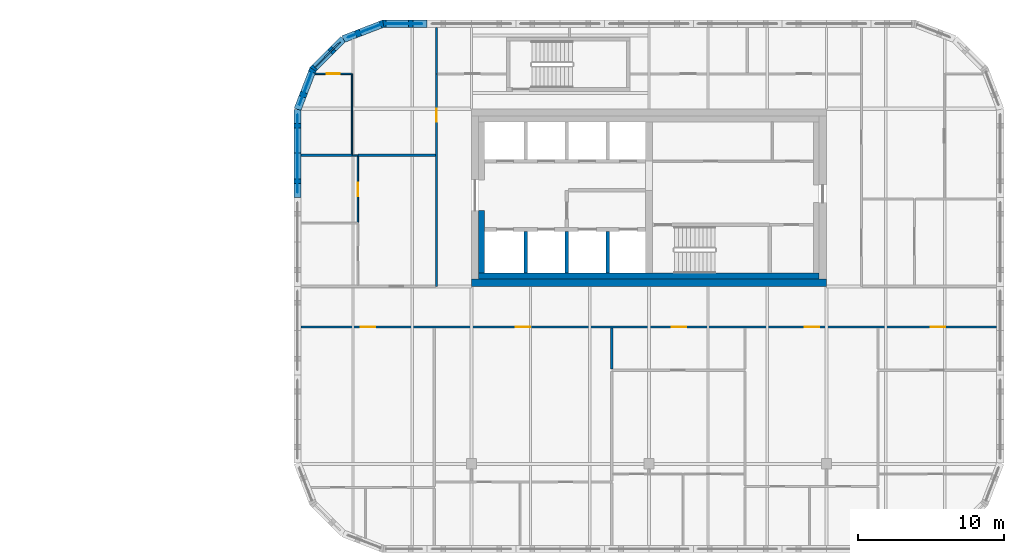
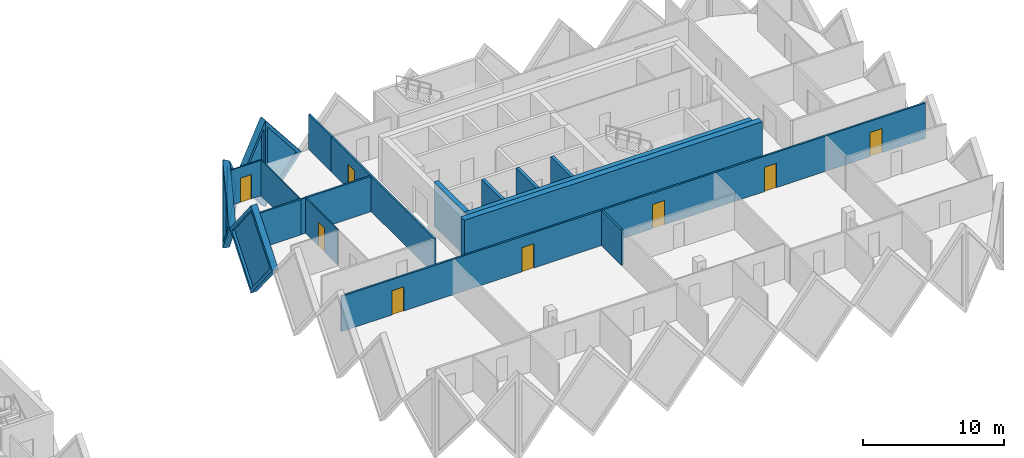
# One storey, part 13 of 19: 21 walls, 8 doors, 5 plates, 13 openings.
"""IFC4 building model written with IfcOpenShell, lengths in metres."""

import ifcopenshell
import ifcopenshell.guid

model = None  # the IFC model being written
_history = None  # IfcOwnerHistory: only IFC2X3 demands one
_inside = {}  # id of a spatial element -> (the spatial element, [elements in it])
_under = {}  # id of a project, library or spatial element -> (it, [spatial elements below it])
_declared = {}  # id of a project -> (the project, [libraries it declares])
_typed = {}  # id of a type object -> (the type object, [elements of that type])
_made_of = {}  # id of a material, layer set ... -> (it, [elements and type objects made of it])


def new_model(schema):
    """Start an empty IFC model of exactly this schema.

    Asked for "IFC4X3", IfcOpenShell would pick the latest addendum, in which some entities
    have other attributes; the version numbers below select the first issue.
    IFC2X3 requires an IfcOwnerHistory on every rooted entity: one is made here for all.
    """
    global model, _history
    if schema == "IFC4X3":
        model = ifcopenshell.file(schema_version=(4, 3, 0, 0))
    else:
        model = ifcopenshell.file(schema=schema)
    _inside.clear()
    _under.clear()
    _declared.clear()
    _typed.clear()
    _made_of.clear()
    _history = None
    if model.schema == "IFC2X3":
        org = make("IfcOrganization", Name="unknown")
        user = make(
            "IfcPersonAndOrganization",
            ThePerson=make("IfcPerson", FamilyName="unknown"),
            TheOrganization=org,
        )
        app = make(
            "IfcApplication",
            ApplicationDeveloper=org,
            Version="unknown",
            ApplicationFullName="unknown",
            ApplicationIdentifier="unknown",
        )
        _history = make(
            "IfcOwnerHistory",
            OwningUser=user,
            OwningApplication=app,
            ChangeAction="ADDED",
            CreationDate=0,
        )
    return model


def make(cls, **values):
    """One entity of the class cls with the attributes given. An attribute that is None is left unset."""
    return model.create_entity(
        cls, **{name: value for name, value in values.items() if value is not None}
    )


def rooted(cls, **values):
    """An entity with a GlobalId (a new one), such as an element, a storey or a relation."""
    return make(cls, GlobalId=ifcopenshell.guid.new(), OwnerHistory=_history, **values)


def si_unit(unit_type, name, prefix=None):
    """IfcSIUnit, for example si_unit("LENGTHUNIT", "METRE", prefix="MILLI")."""
    return make("IfcSIUnit", UnitType=unit_type, Prefix=prefix, Name=name)


def assignment(units):
    """IfcUnitAssignment: the units of a project."""
    return None if units is None else make("IfcUnitAssignment", Units=units)


def point(xyz):
    """IfcCartesianPoint."""
    return None if xyz is None else make("IfcCartesianPoint", Coordinates=xyz)


def direction(xyz):
    """IfcDirection."""
    return None if xyz is None else make("IfcDirection", DirectionRatios=xyz)


def frame(location, z_axis=None, x_axis=None):
    """IfcAxis2Placement3D, a coordinate frame: its origin and axes. An axis left out is left unset."""
    return make(
        "IfcAxis2Placement3D",
        Location=point(location),
        Axis=direction(z_axis),
        RefDirection=direction(x_axis),
    )


def frame_2d(location, x_axis=None):
    """IfcAxis2Placement2D, a coordinate frame in the plane: its origin and x axis."""
    return make(
        "IfcAxis2Placement2D", Location=point(location), RefDirection=direction(x_axis)
    )


def origin():
    """The frame at (0, 0, 0) with its axes left unset."""
    return frame((0.0, 0.0, 0.0))


def place(relative_to, where):
    """IfcLocalPlacement: puts the frame where relative to a parent placement (None: the world)."""
    return make(
        "IfcLocalPlacement", PlacementRelTo=relative_to, RelativePlacement=where
    )


def context(
    kind, dimensions, precision=None, world=None, true_north=None, identifier=None
):
    """IfcGeometricRepresentationContext, for example the 3D "Model" context."""
    return make(
        "IfcGeometricRepresentationContext",
        ContextIdentifier=identifier,
        ContextType=kind,
        CoordinateSpaceDimension=dimensions,
        Precision=precision,
        WorldCoordinateSystem=world,
        TrueNorth=true_north,
    )


def subcontext(parent, identifier, kind, view, scale=None):
    """IfcGeometricRepresentationSubContext, for example "Body" below "Model"."""
    return make(
        "IfcGeometricRepresentationSubContext",
        ContextIdentifier=identifier,
        ContextType=kind,
        ParentContext=parent,
        TargetScale=scale,
        TargetView=view,
    )


def project(units=None, contexts=None):
    """IfcProject with its units and contexts."""
    return rooted(
        "IfcProject",
        Name="project",
        RepresentationContexts=contexts,
        UnitsInContext=assignment(units),
    )


def spatial(cls, under=None, at=None, **own):
    """A site, building, storey or space (cls), placed at a placement, below another one or the project."""
    s = rooted(cls, ObjectPlacement=at, **own)
    if under is not None:
        _under.setdefault(under.id(), (under, []))[1].append(s)
    return s


def polyline(points):
    """IfcPolyline through the points."""
    return make("IfcPolyline", Points=[point(p) for p in points])


def profile(cls, at=None, kind="AREA", **sizes):
    """A parametric profile (cls). Its sizes go by their IFC names, for example OverallWidth=200.0."""
    return make(cls, ProfileType=kind, Position=at, **sizes)


def rectangle(**sizes):
    """IfcRectangleProfileDef."""
    return profile("IfcRectangleProfileDef", **sizes)


def outline(outer, holes=None, kind="AREA"):
    """IfcArbitraryClosedProfileDef: a profile drawn as a closed curve; with holes, ...WithVoids."""
    if holes is None:
        return make("IfcArbitraryClosedProfileDef", ProfileType=kind, OuterCurve=outer)
    return make(
        "IfcArbitraryProfileDefWithVoids",
        ProfileType=kind,
        OuterCurve=outer,
        InnerCurves=holes,
    )


def extrude(swept, where, along, depth):
    """IfcExtrudedAreaSolid: the profile swept, set in the frame where, extruded along a direction by depth."""
    return make(
        "IfcExtrudedAreaSolid",
        SweptArea=swept,
        Position=where,
        ExtrudedDirection=direction(along),
        Depth=depth,
    )


def faces_of(points, faces, orient=None, outer=None):
    """IfcFace entities. A face is a list of loops; a loop is a list of indices into points, from 0.

    orient and outer hold one flag for each loop. By default every Orientation is true, the
    first loop of a face is its IfcFaceOuterBound and the others are IfcFaceBound.
    """
    made = []
    for i, loops in enumerate(faces):
        bounds = []
        for j, loop in enumerate(loops):
            is_outer = j == 0 if outer is None else outer[i][j]
            bounds.append(
                make(
                    "IfcFaceOuterBound" if is_outer else "IfcFaceBound",
                    Bound=make("IfcPolyLoop", Polygon=[points[k] for k in loop]),
                    Orientation=True if orient is None else orient[i][j],
                )
            )
        made.append(make("IfcFace", Bounds=bounds))
    return made


def faceted_brep(points, faces, orient=None, outer=None, voids=None):
    """IfcFacetedBrep: a solid bounded by flat faces; with voids (closed shells), ...WithVoids."""
    shared = [point(p) for p in points]
    hull = make("IfcClosedShell", CfsFaces=faces_of(shared, faces, orient, outer))
    if voids is None:
        return make("IfcFacetedBrep", Outer=hull)
    return make(
        "IfcFacetedBrepWithVoids",
        Outer=hull,
        Voids=[
            make(cls, CfsFaces=faces_of(shared, fs, o, b)) for cls, fs, o, b in voids
        ],
    )


def shape(context_of_items, identifier, shape_type, items):
    """IfcShapeRepresentation: the items that make up one representation, for example the "Body"."""
    return make(
        "IfcShapeRepresentation",
        ContextOfItems=context_of_items,
        RepresentationIdentifier=identifier,
        RepresentationType=shape_type,
        Items=items,
    )


def source(mapping_origin, context_of_items, identifier, shape_type, items):
    """IfcRepresentationMap: a shape defined once, which mapped items show again and again."""
    return make(
        "IfcRepresentationMap",
        MappingOrigin=mapping_origin,
        MappedRepresentation=shape(context_of_items, identifier, shape_type, items),
    )


def transform(
    local_origin,
    x_axis=None,
    y_axis=None,
    z_axis=None,
    scale=None,
    scale2=None,
    scale3=None,
    uniform=True,
):
    """IfcCartesianTransformationOperator3D, or its non-uniform kind. x_axis, y_axis, z_axis: its Axis1, 2, 3."""
    if uniform:
        return make(
            "IfcCartesianTransformationOperator3D",
            Axis1=direction(x_axis),
            Axis2=direction(y_axis),
            LocalOrigin=point(local_origin),
            Scale=scale,
            Axis3=direction(z_axis),
        )
    return make(
        "IfcCartesianTransformationOperator3DnonUniform",
        Axis1=direction(x_axis),
        Axis2=direction(y_axis),
        LocalOrigin=point(local_origin),
        Scale=scale,
        Axis3=direction(z_axis),
        Scale2=scale2,
        Scale3=scale3,
    )


def mapped(mapping_source, mapping_target):
    """IfcMappedItem: shows the shape of a source again, moved by a transform."""
    return make(
        "IfcMappedItem", MappingSource=mapping_source, MappingTarget=mapping_target
    )


def material(Name=None, Category=None):
    """IfcMaterial."""
    return make("IfcMaterial", Name=Name, Category=Category)


def layer(
    of_material, thickness, ventilated=None, Name=None, Category=None, Priority=None
):
    """IfcMaterialLayer: one layer of a wall or slab, of a material (None: an air gap)."""
    return make(
        "IfcMaterialLayer",
        Material=of_material,
        LayerThickness=thickness,
        IsVentilated=ventilated,
        Name=Name,
        Category=Category,
        Priority=Priority,
    )


def layer_set(layers, Name=None):
    """IfcMaterialLayerSet."""
    return make("IfcMaterialLayerSet", MaterialLayers=layers, LayerSetName=Name)


def made_of(thing, what):
    """Note that an element or type object is made of a material, layer set ...; save() writes the relation."""
    if what is not None:
        _made_of.setdefault(what.id(), (what, []))[1].append(thing)
    return thing


def type_object(cls, material=None, **own):
    """A type object (cls), such as IfcWallType, which elements share."""
    return made_of(rooted(cls, **own), material)


def element(
    cls,
    number,
    at=None,
    inside=None,
    cuts=None,
    type_object=None,
    material=None,
    context=None,
    identifier="Body",
    shape_type=None,
    held_by="IfcProductDefinitionShape",
    body=None,
    shapes=None,
    **own,
):
    """One element of the class cls, such as IfcWall. Its Tag is "e" and its number.

    at: its placement. inside: the storey or other place that contains it. cuts: it is an
    opening in that element (IfcRelVoidsElement). A single representation is given by context,
    identifier, shape_type and body (its items); several are given by shapes. held_by: the class
    of the entity that holds the representations. save() writes the other relations.
    """
    e = rooted(cls, Tag="e%d" % number, ObjectPlacement=at, **own)
    if body is not None:
        shapes = [shape(context, identifier, shape_type, body)]
    if shapes is not None:
        e.Representation = make(held_by, Representations=shapes)
    if inside is not None:
        _inside.setdefault(inside.id(), (inside, []))[1].append(e)
    if cuts is not None:
        rooted(
            "IfcRelVoidsElement", RelatingBuildingElement=cuts, RelatedOpeningElement=e
        )
    if type_object is not None:
        _typed.setdefault(type_object.id(), (type_object, []))[1].append(e)
    return made_of(e, material)


def fill(opening, filler):
    """IfcRelFillsElement: the door or window that sits in an opening."""
    return rooted(
        "IfcRelFillsElement",
        RelatingOpeningElement=opening,
        RelatedBuildingElement=filler,
    )


def aggregate(whole, parts):
    """IfcRelAggregates: a whole, such as a stair, and the parts it consists of."""
    return rooted("IfcRelAggregates", RelatingObject=whole, RelatedObjects=parts)


def save(model, path):
    """Write the relations noted so far, then the file.

    IfcRelAggregates (storeys below a building ...), IfcRelContainedInSpatialStructure (elements
    in a storey), IfcRelDefinesByType, IfcRelAssociatesMaterial and IfcRelDeclares: one each for
    every whole, place, type object, material and project.
    """
    for whole, parts in _under.values():
        aggregate(whole, parts)
    for where, things in _inside.values():
        rooted(
            "IfcRelContainedInSpatialStructure",
            RelatedElements=things,
            RelatingStructure=where,
        )
    for kind, things in _typed.values():
        rooted("IfcRelDefinesByType", RelatedObjects=things, RelatingType=kind)
    for what, things in _made_of.values():
        rooted("IfcRelAssociatesMaterial", RelatedObjects=things, RelatingMaterial=what)
    for by, libraries in _declared.values():
        rooted("IfcRelDeclares", RelatingContext=by, RelatedDefinitions=libraries)
    model.write(path)


model = new_model("IFC4")

# Units and contexts
model_context = context("Model", 3, precision=1e-05, world=origin(), true_north=direction((0.0, 1.0)))
body_context = subcontext(model_context, "Body", "Model", "MODEL_VIEW")
ifc_project = project(units=[si_unit("LENGTHUNIT", "METRE"), si_unit("AREAUNIT", "SQUARE_METRE"), si_unit("VOLUMEUNIT", "CUBIC_METRE"), si_unit("PLANEANGLEUNIT", "RADIAN"), si_unit("MASSUNIT", "GRAM", prefix="KILO")], contexts=[model_context])

# Site, building, storey
site_placement = place(None, origin())
site = spatial("IfcSite", under=ifc_project, at=site_placement, CompositionType="ELEMENT")
building_placement = place(site_placement, origin())
building = spatial("IfcBuilding", under=site, at=building_placement, Name="Tessera Gate Towers", CompositionType="ELEMENT")
storey_placement = place(building_placement, frame((0.0, 0.0, 76.199951171875)))
storey = spatial("IfcBuildingStorey", under=building, at=storey_placement, Name="L18", CompositionType="ELEMENT", Elevation=76.199951171875)

# Walls
ifc_material_1 = material(Name="Concrete C40/50", Category="concrete")
ifc_layer_1 = layer(ifc_material_1, 0.25)
ifc_layer_set_1 = layer_set([ifc_layer_1], Name="CORE ENCLOSURE WALL 250")
wall_type_1 = type_object("IfcWallType", Name="CORE ENCLOSURE WALL 250", PredefinedType="SOLIDWALL", material=ifc_layer_set_1)
for number, where, z_axis, x_axis, name in (
    (1, (104.14990234375, 37.5, 0.0), (0.0, 0.0, 1.0), (0.0, 1.0, 0.0), "L18 shaft and stair enclosure wall"),
    (2, (101.324951171875, 37.5, 0.0), (0.0, 0.0, 1.0), (0.0, 1.0, 0.0), "L18 shaft and stair enclosure wall"),
    (3, (106.97509765625, 37.5, 0.0), (0.0, 0.0, 1.0), (0.0, 1.0, 0.0), "L18 shaft and stair enclosure wall"),
):
    element("IfcWall", number, at=place(storey_placement, frame(where, z_axis=z_axis, x_axis=x_axis)), inside=storey, type_object=wall_type_1, Name=name, PredefinedType="SOLIDWALL", context=body_context, shape_type="SweptSolid", body=[
        extrude(rectangle(XDim=2.875, YDim=0.25, at=frame_2d((1.4375, 0.0))), origin(), (0.0, 0.0, 1.0), 3.800048828125),
    ])
ifc_material_2 = material(Name="Concrete C50/60", Category="concrete")
ifc_layer_2 = layer(ifc_material_2, 0.5)
ifc_layer_set_2 = layer_set([ifc_layer_2], Name="CORE SHEAR WALL 500 C50/60")
wall_type_2 = type_object("IfcWallType", Name="CORE SHEAR WALL 500 C50/60", PredefinedType="SHEAR", material=ifc_layer_set_2)
wall_1_placement = place(storey_placement, frame((122.0, 36.85009765625, 0.0), z_axis=(0.0, 0.0, 1.0), x_axis=(-1.0, 0.0, 0.0)))
element("IfcWall", 4, at=wall_1_placement, inside=storey, type_object=wall_type_2, Name="Core wall S L18", PredefinedType="SHEAR", context=body_context, shape_type="SweptSolid", body=[
    extrude(rectangle(XDim=24.39990234375, YDim=0.5, at=frame_2d((12.199951171875, 0.0))), origin(), (0.0, 0.0, 1.0), 3.800048828125),
])
ifc_material_3 = material(Name="Concrete C50/60", Category="concrete")
ifc_layer_3 = layer(ifc_material_3, 0.39990234375)
ifc_layer_set_3 = layer_set([ifc_layer_3], Name="CORE WALL THICKENING 400")
wall_type_3 = type_object("IfcWallType", Name="CORE WALL THICKENING 400", PredefinedType="SOLIDWALL", material=ifc_layer_set_3)
wall_2_placement = place(storey_placement, frame((98.10009765625, 37.300048828125, 0.0), z_axis=(0.0, 0.0, 1.0), x_axis=(1.0, 0.0, 0.0)))
element("IfcWall", 5, at=wall_2_placement, inside=storey, type_object=wall_type_3, Name="Core wall thickening S L18", PredefinedType="SOLIDWALL", context=body_context, shape_type="SweptSolid", body=[
    extrude(rectangle(XDim=23.39990234375, YDim=0.39990234375, at=frame_2d((11.699951171875, 0.0))), origin(), (0.0, 0.0, 1.0), 3.800048828125),
])
wall_3_placement = place(storey_placement, frame((98.300048828125, 37.5, 0.0), z_axis=(0.0, 0.0, 1.0), x_axis=(0.0, 1.0, 0.0)))
element("IfcWall", 6, at=wall_3_placement, inside=storey, type_object=wall_type_3, Name="Core wall thickening W L18", PredefinedType="SOLIDWALL", context=body_context, shape_type="SweptSolid", body=[
    extrude(rectangle(XDim=4.300048828125, YDim=0.39990234375, at=frame_2d((2.14990234375, 0.0))), origin(), (0.0, 0.0, 1.0), 3.800048828125),
])

# Wall, openings, doors
ifc_material_4 = material(Name="Gypsum board on steel studs, mineral wool", Category="steel")
ifc_layer_4 = layer(ifc_material_4, 0.14990234375)
ifc_layer_set_4 = layer_set([ifc_layer_4], Name="CORRIDOR WALL 150")
wall_type_4 = type_object("IfcWallType", Name="CORRIDOR WALL 150", PredefinedType="PARTITIONING", material=ifc_layer_set_4)
wall_4_placement = place(storey_placement, frame((133.699951171875, 33.800048828125, 0.0), z_axis=(0.0, 0.0, 1.0), x_axis=(-1.0, 0.0, 0.0)))
wall_4 = element("IfcWall", 7, at=wall_4_placement, inside=storey, type_object=wall_type_4, Name="T2-L18-PW-027", PredefinedType="PARTITIONING", context=body_context, shape_type="SweptSolid", body=[
    extrude(rectangle(XDim=47.800048828125, YDim=0.14990234375, at=frame_2d((23.89990234375, 0.0))), origin(), (0.0, 0.0, 1.0), 3.067138671875),
])
shared_shape_1 = source(origin(), body_context, "Body", "SweptSolid", [
    extrude(rectangle(XDim=1.0, YDim=2.10009765625, at=frame_2d((0.5, 1.050048828125))), frame((0.0, 0.0849609375, 0.0), z_axis=(0.0, -1.0, 0.0), x_axis=(1.0, 0.0, 0.0)), (0.0, 0.0, 1.0), 0.169921875),
])
opening_1_placement = place(wall_4_placement, frame((3.549072265625, 0.0, 0.0)))
opening_1 = element("IfcOpeningElement", 8, at=opening_1_placement, cuts=wall_4, Name="Opening D2100FD60-B07-04", PredefinedType="OPENING", context=body_context, shape_type="MappedRepresentation", body=[
    mapped(shared_shape_1, transform((0.0, 0.0, 0.0), scale=1.0)),
])
opening_2_placement = place(wall_4_placement, frame((42.699951171875, 0.0, 0.0)))
opening_2 = element("IfcOpeningElement", 9, at=opening_2_placement, cuts=wall_4, Name="Opening D2100FD60-B07-05", PredefinedType="OPENING", context=body_context, shape_type="MappedRepresentation", body=[
    mapped(shared_shape_1, transform((0.0, 0.0, 0.0), scale=1.0)),
])
opening_3_placement = place(wall_4_placement, frame((12.198974609375, 0.0, 0.0)))
opening_3 = element("IfcOpeningElement", 10, at=opening_3_placement, cuts=wall_4, Name="Opening D2100FD60-B07-06", PredefinedType="OPENING", context=body_context, shape_type="MappedRepresentation", body=[
    mapped(shared_shape_1, transform((0.0, 0.0, 0.0), scale=1.0)),
])
opening_4_placement = place(wall_4_placement, frame((21.34912109375, 0.0, 0.0)))
opening_4 = element("IfcOpeningElement", 11, at=opening_4_placement, cuts=wall_4, Name="Opening D2100FD60-B07-07", PredefinedType="OPENING", context=body_context, shape_type="MappedRepresentation", body=[
    mapped(shared_shape_1, transform((0.0, 0.0, 0.0), scale=1.0)),
])
opening_5_placement = place(wall_4_placement, frame((32.050048828125, 0.0, 0.0)))
opening_5 = element("IfcOpeningElement", 12, at=opening_5_placement, cuts=wall_4, Name="Opening D2100FD60-B07-08", PredefinedType="OPENING", context=body_context, shape_type="MappedRepresentation", body=[
    mapped(shared_shape_1, transform((0.0, 0.0, 0.0), scale=1.0)),
])
ifc_material_5 = material(Name="Timber door leaf in steel frame", Category="steel")
door_type_1 = type_object("IfcDoorType", Name="TENANCY ENTRANCE DOOR 1000 FD60", OperationType="NOTDEFINED", PredefinedType="DOOR", material=ifc_material_5)
shared_shape_2 = source(origin(), body_context, "Body", "SweptSolid", [
    extrude(rectangle(XDim=1.0, YDim=2.10009765625, at=frame_2d((0.5, 1.050048828125))), frame((0.0, 0.02490234375, 0.0), z_axis=(0.0, -1.0, 0.0), x_axis=(1.0, 0.0, 0.0)), (0.0, 0.0, 1.0), 0.050048828125),
])
door_1_placement = place(opening_1_placement, origin())
door_1 = element("IfcDoor", 13, at=door_1_placement, inside=storey, type_object=door_type_1, Name="T2-L18-PD-018", OperationType="SINGLE_SWING_RIGHT", OverallHeight=2.10009765625, OverallWidth=1.0, PredefinedType="DOOR", context=body_context, shape_type="MappedRepresentation", body=[
    mapped(shared_shape_2, transform((0.0, 0.0, 0.0), scale=1.0)),
])
fill(opening_1, door_1)
door_2_placement = place(opening_2_placement, origin())
door_2 = element("IfcDoor", 14, at=door_2_placement, inside=storey, type_object=door_type_1, Name="T2-L18-PD-021", OperationType="SINGLE_SWING_RIGHT", OverallHeight=2.10009765625, OverallWidth=1.0, PredefinedType="DOOR", context=body_context, shape_type="MappedRepresentation", body=[
    mapped(shared_shape_2, transform((0.0, 0.0, 0.0), scale=1.0)),
])
fill(opening_2, door_2)
door_3_placement = place(opening_3_placement, origin())
door_3 = element("IfcDoor", 15, at=door_3_placement, inside=storey, type_object=door_type_1, Name="T2-L18-PD-022", OperationType="SINGLE_SWING_RIGHT", OverallHeight=2.10009765625, OverallWidth=1.0, PredefinedType="DOOR", context=body_context, shape_type="MappedRepresentation", body=[
    mapped(shared_shape_2, transform((0.0, 0.0, 0.0), scale=1.0)),
])
fill(opening_3, door_3)
door_4_placement = place(opening_4_placement, origin())
door_4 = element("IfcDoor", 16, at=door_4_placement, inside=storey, type_object=door_type_1, Name="T2-L18-PD-023", OperationType="SINGLE_SWING_RIGHT", OverallHeight=2.10009765625, OverallWidth=1.0, PredefinedType="DOOR", context=body_context, shape_type="MappedRepresentation", body=[
    mapped(shared_shape_2, transform((0.0, 0.0, 0.0), scale=1.0)),
])
fill(opening_4, door_4)
door_5_placement = place(opening_5_placement, origin())
door_5 = element("IfcDoor", 17, at=door_5_placement, inside=storey, type_object=door_type_1, Name="T2-L18-PD-027", OperationType="SINGLE_SWING_RIGHT", OverallHeight=2.10009765625, OverallWidth=1.0, PredefinedType="DOOR", context=body_context, shape_type="MappedRepresentation", body=[
    mapped(shared_shape_2, transform((0.0, 0.0, 0.0), scale=1.0)),
])
fill(opening_5, door_5)

# Wall, opening, door
wall_5_placement = place(storey_placement, frame((95.199951171875, 36.60009765625, 0.0), z_axis=(0.0, 0.0, 1.0), x_axis=(0.0, 1.0, 0.0)))
wall_5 = element("IfcWall", 18, at=wall_5_placement, inside=storey, type_object=wall_type_4, Name="T2-L18-PW-029", PredefinedType="PARTITIONING", context=body_context, shape_type="SweptSolid", body=[
    extrude(rectangle(XDim=14.599853515625, YDim=0.14990234375, at=frame_2d((7.2998046875, 0.0))), origin(), (0.0, 0.0, 1.0), 3.067138671875),
])
shared_shape_3 = source(origin(), body_context, "Body", "SweptSolid", [
    extrude(rectangle(XDim=0.89990234375, YDim=2.10009765625, at=frame_2d((0.449951171875, 1.050048828125))), frame((0.0, 0.0849609375, 0.0), z_axis=(0.0, -1.0, 0.0), x_axis=(1.0, 0.0, 0.0)), (0.0, 0.0, 1.0), 0.169921875),
])
opening_6_placement = place(wall_5_placement, frame((11.301025390625, 0.0, 0.0)))
opening_6 = element("IfcOpeningElement", 19, at=opening_6_placement, cuts=wall_5, Name="Opening D890FD60-B07-01", PredefinedType="OPENING", context=body_context, shape_type="MappedRepresentation", body=[
    mapped(shared_shape_3, transform((0.0, 0.0, 0.0), scale=1.0)),
])
ifc_material_6 = material(Name="Timber door leaf in steel frame", Category="steel")
door_type_2 = type_object("IfcDoorType", Name="CORRIDOR DOOR 900 FD60", OperationType="NOTDEFINED", PredefinedType="DOOR", material=ifc_material_6)
shared_shape_4 = source(origin(), body_context, "Body", "SweptSolid", [
    extrude(rectangle(XDim=0.89990234375, YDim=2.10009765625, at=frame_2d((0.449951171875, 1.050048828125))), frame((0.0, 0.02490234375, 0.0), z_axis=(0.0, -1.0, 0.0), x_axis=(1.0, 0.0, 0.0)), (0.0, 0.0, 1.0), 0.050048828125),
])
door_6_placement = place(opening_6_placement, origin())
door_6 = element("IfcDoor", 20, at=door_6_placement, inside=storey, type_object=door_type_2, Name="T2-L18-PD-010", OperationType="SINGLE_SWING_LEFT", OverallHeight=2.10009765625, OverallWidth=0.89990234375, PredefinedType="DOOR", context=body_context, shape_type="MappedRepresentation", body=[
    mapped(shared_shape_4, transform((0.0, 0.0, 0.0), scale=1.0)),
])
fill(opening_6, door_6)

ifc_material_7 = material(Name="Glass", Category="glass")
ifc_layer_5 = layer(ifc_material_7, 0.10009765625)
ifc_layer_set_5 = layer_set([ifc_layer_5], Name="GLAZED PARTITION 100")
wall_type_5 = type_object("IfcWallType", Name="GLAZED PARTITION 100", PredefinedType="PARTITIONING", material=ifc_layer_set_5)
wall_6_placement = place(storey_placement, frame((89.800048828125, 40.998779296875, 0.0), z_axis=(0.0, 0.0, 1.0), x_axis=(0.0, 1.0, 0.0)))
wall_6 = element("IfcWall", 21, at=wall_6_placement, inside=storey, type_object=wall_type_5, Name="T2-L18-PW-035", PredefinedType="PARTITIONING", context=body_context, shape_type="SweptSolid", body=[
    extrude(rectangle(XDim=4.525146484375, YDim=0.10009765625, at=frame_2d((2.2626953125, 0.0))), origin(), (0.0, 0.0, 1.0), 3.067138671875),
])
shared_shape_5 = source(origin(), body_context, "Body", "SweptSolid", [
    extrude(rectangle(XDim=0.89990234375, YDim=2.10009765625, at=frame_2d((0.449951171875, 1.050048828125))), frame((0.0, 0.06005859375, 0.0), z_axis=(0.0, -1.0, 0.0), x_axis=(1.0, 0.0, 0.0)), (0.0, 0.0, 1.0), 0.1201171875),
])
opening_7_placement = place(wall_6_placement, frame((1.800048828125, 0.0, 0.0)))
opening_7 = element("IfcOpeningElement", 22, at=opening_7_placement, cuts=wall_6, Name="Opening D690-B07-02", PredefinedType="OPENING", context=body_context, shape_type="MappedRepresentation", body=[
    mapped(shared_shape_5, transform((0.0, 0.0, 0.0), scale=1.0)),
])
ifc_material_8 = material(Name="Glass in aluminium frame", Category="aluminium")
door_type_3 = type_object("IfcDoorType", Name="GLAZED DOOR 900 NOT RATED", OperationType="NOTDEFINED", PredefinedType="DOOR", material=ifc_material_8)
door_7_placement = place(opening_7_placement, origin())
door_7 = element("IfcDoor", 23, at=door_7_placement, inside=storey, type_object=door_type_3, Name="T2-L18-PD-005", OperationType="SINGLE_SWING_LEFT", OverallHeight=2.10009765625, OverallWidth=0.89990234375, PredefinedType="DOOR", context=body_context, shape_type="MappedRepresentation", body=[
    mapped(shared_shape_4, transform((0.0, 0.0, 0.0), scale=1.0)),
])
fill(opening_7, door_7)

# Walls
wall_7_placement = place(storey_placement, frame((89.39599609375, 45.60009765625, 0.0), z_axis=(0.0, 0.0, 1.0), x_axis=(1.0, 0.0, 0.0)))
element("IfcWall", 24, at=wall_7_placement, inside=storey, type_object=wall_type_5, Name="T2-L18-PW-040", PredefinedType="PARTITIONING", context=body_context, shape_type="SweptSolid", body=[
    extrude(rectangle(XDim=0.403076171875, YDim=0.10009765625, at=frame_2d((0.20166015625, 0.0))), origin(), (0.0, 0.0, 1.0), 3.067138671875),
])
ifc_material_9 = material(Name="Gypsum board on steel studs", Category="steel")
ifc_layer_6 = layer(ifc_material_9, 0.10009765625)
ifc_layer_set_6 = layer_set([ifc_layer_6], Name="PARTITION 100")
wall_type_6 = type_object("IfcWallType", Name="PARTITION 100", PredefinedType="PARTITIONING", material=ifc_layer_set_6)
wall_8_placement = place(storey_placement, frame((89.39501953125, 45.676025390625, 0.0), z_axis=(0.0, 0.0, 1.0), x_axis=(0.0, 1.0, 0.0)))
element("IfcWall", 25, at=wall_8_placement, inside=storey, type_object=wall_type_6, Name="T2-L18-PW-042", PredefinedType="PARTITIONING", context=body_context, shape_type="SweptSolid", body=[
    extrude(rectangle(XDim=5.52392578125, YDim=0.10009765625, at=frame_2d((2.761962890625, 0.0))), origin(), (0.0, 0.0, 1.0), 3.067138671875),
])

# Wall, opening, door
wall_9_placement = place(storey_placement, frame((89.343994140625, 51.199951171875, 0.0), z_axis=(0.0, 0.0, 1.0), x_axis=(-1.0, 0.0, 0.0)))
wall_9 = element("IfcWall", 26, at=wall_9_placement, inside=storey, type_object=wall_type_6, Name="T2-L18-PW-043", PredefinedType="PARTITIONING", context=body_context, shape_type="SweptSolid", body=[
    extrude(rectangle(XDim=2.482177734375, YDim=0.10009765625, at=frame_2d((1.2412109375, 0.0))), origin(), (0.0, 0.0, 1.0), 3.067138671875),
])
opening_8_placement = place(wall_9_placement, frame((0.7822265625, 0.0, 0.0)))
opening_8 = element("IfcOpeningElement", 27, at=opening_8_placement, cuts=wall_9, Name="Opening D190-B07-10", PredefinedType="OPENING", context=body_context, shape_type="MappedRepresentation", body=[
    mapped(shared_shape_5, transform((0.0, 0.0, 0.0), scale=1.0)),
])
ifc_material_10 = material(Name="Timber door leaf in steel frame", Category="steel")
door_type_4 = type_object("IfcDoorType", Name="INTERNAL DOOR 900 NOT RATED", OperationType="NOTDEFINED", PredefinedType="DOOR", material=ifc_material_10)
door_8_placement = place(opening_8_placement, origin())
door_8 = element("IfcDoor", 28, at=door_8_placement, inside=storey, type_object=door_type_4, Name="T2-L18-PD-016", OperationType="SINGLE_SWING_RIGHT", OverallHeight=2.10009765625, OverallWidth=0.89990234375, PredefinedType="DOOR", context=body_context, shape_type="MappedRepresentation", body=[
    mapped(shared_shape_4, transform((0.0, 0.0, 0.0), scale=1.0)),
])
fill(opening_8, door_8)

# Walls
ifc_material_11 = material(Name="Gypsum board on steel studs, mineral wool", Category="steel")
ifc_layer_7 = layer(ifc_material_11, 0.14990234375)
ifc_layer_set_7 = layer_set([ifc_layer_7], Name="TENANCY WALL 150")
wall_type_7 = type_object("IfcWallType", Name="TENANCY WALL 150", PredefinedType="PARTITIONING", material=ifc_layer_set_7)
wall_10_placement = place(storey_placement, frame((107.25, 30.90087890625, 0.0), z_axis=(0.0, 0.0, 1.0), x_axis=(0.0, 1.0, 0.0)))
element("IfcWall", 29, at=wall_10_placement, inside=storey, type_object=wall_type_7, Name="T2-L18-PW-024", PredefinedType="PARTITIONING", context=body_context, shape_type="SweptSolid", body=[
    extrude(rectangle(XDim=2.8232421875, YDim=0.14990234375, at=frame_2d((1.41162109375, 0.0))), origin(), (0.0, 0.0, 1.0), 3.067138671875),
])
wall_11_placement = place(storey_placement, frame((85.89990234375, 45.60009765625, 0.0), z_axis=(0.0, 0.0, 1.0), x_axis=(1.0, 0.0, 0.0)))
element("IfcWall", 30, at=wall_11_placement, inside=storey, type_object=wall_type_7, Name="T2-L18-PW-039", PredefinedType="PARTITIONING", context=body_context, shape_type="SweptSolid", body=[
    extrude(rectangle(XDim=3.4951171875, YDim=0.14990234375, at=frame_2d((1.74755859375, 0.0))), origin(), (0.0, 0.0, 1.0), 3.067138671875),
])
wall_12_placement = place(storey_placement, frame((89.800048828125, 45.60009765625, 0.0), z_axis=(0.0, 0.0, 1.0), x_axis=(1.0, 0.0, 0.0)))
element("IfcWall", 31, at=wall_12_placement, inside=storey, type_object=wall_type_7, Name="T2-L18-PW-041", PredefinedType="PARTITIONING", context=body_context, shape_type="SweptSolid", body=[
    extrude(rectangle(XDim=5.323974609375, YDim=0.14990234375, at=frame_2d((2.662109375, 0.0))), origin(), (0.0, 0.0, 1.0), 3.067138671875),
])
wall_13_placement = place(storey_placement, frame((95.199951171875, 51.200927734375, 0.0), z_axis=(0.0, 0.0, 1.0), x_axis=(0.0, 1.0, 0.0)))
element("IfcWall", 32, at=wall_13_placement, inside=storey, type_object=wall_type_7, Name="T2-L18-PW-044", PredefinedType="PARTITIONING", context=body_context, shape_type="SweptSolid", body=[
    extrude(rectangle(XDim=3.198974609375, YDim=0.14990234375, at=frame_2d((1.599609375, 0.0))), origin(), (0.0, 0.0, 1.0), 3.067138671875),
])

# Wall, opening, plate
ifc_material_12 = material(Name="Precast concrete C60/75 white", Category="concrete")
ifc_layer_8 = layer(ifc_material_12, 0.5)
ifc_layer_set_8 = layer_set([ifc_layer_8], Name="TS1 tessera")
wall_type_8 = type_object("IfcWallType", Name="TS1 tessera", PredefinedType="SOLIDWALL", material=ifc_layer_set_8)
shared_shape_6 = source(origin(), body_context, "Body", "Brep", [
    faceted_brep([(3.00341796875, -0.25, 0.0), (6.053466796875, -0.25, 3.800048828125), (3.00341796875, -0.25, 7.60009765625), (0.0, -0.25, 3.800048828125), (0.046630859375, 0.25, 3.85888671875), (3.00341796875, 0.25, 7.60009765625), (6.053466796875, 0.25, 3.800048828125), (3.00341796875, 0.25, 0.0), (0.046630859375, 0.25, 3.7412109375), (0.0, 0.0, 3.800048828125)], [[[0, 1, 2, 3]], [[4, 5, 6, 7, 8]], [[7, 6, 1, 0]], [[6, 5, 2, 1]], [[5, 4, 9, 3, 2]], [[8, 7, 0, 3, 9]], [[8, 9, 4]]]),
])
wall_14_placement = place(storey_placement, frame((85.64990234375, 48.75341796875, -3.800048828125), z_axis=(0.0, 0.0, 1.0), x_axis=(0.0, -1.0, 0.0)))
wall_14 = element("IfcWall", 33, at=wall_14_placement, inside=storey, type_object=wall_type_8, Name="Precast tessera T2 TS1-0212", PredefinedType="SOLIDWALL", context=body_context, shape_type="MappedRepresentation", body=[
    mapped(shared_shape_6, transform((0.0, 0.0, 0.0), scale=1.0)),
])
shared_shape_7 = source(origin(), body_context, "Body", "SweptSolid", [
    extrude(outline(polyline([(3.0048828125, 0.4013671875), (5.73291015625, 3.800048828125), (3.0048828125, 7.19873046875), (0.318603515625, 3.800048828125), (3.0048828125, 0.4013671875)])), frame((0.0, 0.260009765625, 0.0), z_axis=(0.0, -1.0, 0.0), x_axis=(1.0, 0.0, 0.0)), (0.0, 0.0, 1.0), 0.52001953125),
])
opening_9_placement = place(wall_14_placement, origin())
opening_9 = element("IfcOpeningElement", 34, at=opening_9_placement, cuts=wall_14, Name="Opening T2-PL2-0402", PredefinedType="OPENING", context=body_context, shape_type="MappedRepresentation", body=[
    mapped(shared_shape_7, transform((0.0, 0.0, 0.0), scale=1.0)),
])
ifc_material_13 = material(Name="Low-e laminated glass", Category="glass")
ifc_layer_9 = layer(ifc_material_13, 0.06005859375)
ifc_layer_set_9 = layer_set([ifc_layer_9], Name="PL2 rhombic pane")
plate_type = type_object("IfcPlateType", Name="PL2 rhombic pane", PredefinedType="SHEET", material=ifc_layer_set_9)
shared_shape_8 = source(origin(), body_context, "Body", "SweptSolid", [
    extrude(outline(polyline([(3.0048828125, 0.4013671875), (5.73291015625, 3.800048828125), (3.0048828125, 7.19873046875), (0.318603515625, 3.800048828125), (3.0048828125, 0.4013671875)])), frame((0.0, 0.030029296875, 0.0), z_axis=(0.0, -1.0, 0.0), x_axis=(1.0, 0.0, 0.0)), (0.0, 0.0, 1.0), 0.06005859375),
])
plate_1_placement = place(opening_9_placement, origin())
plate_1 = element("IfcPlate", 35, at=plate_1_placement, inside=storey, type_object=plate_type, Name="Glass pane T2 PL2-0402", PredefinedType="SHEET", context=body_context, shape_type="MappedRepresentation", body=[
    mapped(shared_shape_8, transform((0.0, 0.0, 0.0), scale=1.0)),
])
fill(opening_9, plate_1)

ifc_material_14 = material(Name="Precast concrete C60/75 white", Category="concrete")
ifc_layer_10 = layer(ifc_material_14, 0.5)
ifc_layer_set_10 = layer_set([ifc_layer_10], Name="TS3 corner tessera")
wall_type_9 = type_object("IfcWallType", Name="TS3 corner tessera", PredefinedType="SOLIDWALL", material=ifc_layer_set_10)
shared_shape_9 = source(origin(), body_context, "Body", "Brep", [
    faceted_brep([(3.00341796875, -0.25, 0.0), (3.050048828125, -0.25, 0.06005859375), (3.050048828125, -0.25, 7.5400390625), (3.00341796875, -0.25, 7.60009765625), (0.0, -0.25, 3.800048828125), (0.0, 0.25, 3.800048828125), (2.956787109375, 0.25, 7.541259765625), (2.956787109375, 0.25, 0.058837890625), (3.00341796875, 0.000244140625, 0.0), (3.00341796875, 0.000244140625, 7.60009765625)], [[[0, 1, 2, 3, 4]], [[5, 6, 7]], [[1, 0, 8]], [[9, 3, 2]], [[6, 5, 4, 3, 9]], [[5, 7, 8, 0, 4]], [[1, 8, 7, 6, 9, 2]]]),
])
wall_15_placement = place(storey_placement, frame((94.550048828125, 54.64990234375, -3.800048828125), z_axis=(0.0, 0.0, 1.0), x_axis=(-1.0, 0.0, 0.0)))
wall_15 = element("IfcWall", 36, at=wall_15_placement, inside=storey, type_object=wall_type_9, Name="Precast corner tessera T2 TS3-0267", PredefinedType="SOLIDWALL", context=body_context, shape_type="MappedRepresentation", body=[
    mapped(shared_shape_9, transform((0.0, 0.0, 0.0), scale=1.0)),
])
shared_shape_10 = source(origin(), body_context, "Body", "SweptSolid", [
    extrude(outline(polyline([(2.803466796875, 6.94384765625), (0.318603515625, 3.800048828125), (2.803466796875, 0.65625), (2.803466796875, 6.94384765625)])), frame((0.0, 0.260009765625, 0.0), z_axis=(0.0, -1.0, 0.0), x_axis=(1.0, 0.0, 0.0)), (0.0, 0.0, 1.0), 0.52001953125),
])
opening_10_placement = place(wall_15_placement, origin())
opening_10 = element("IfcOpeningElement", 37, at=opening_10_placement, cuts=wall_15, Name="Opening T2-PL2-0398", PredefinedType="OPENING", context=body_context, shape_type="MappedRepresentation", body=[
    mapped(shared_shape_10, transform((0.0, 0.0, 0.0), scale=1.0)),
])
shared_shape_11 = source(origin(), body_context, "Body", "SweptSolid", [
    extrude(outline(polyline([(2.803466796875, 6.94384765625), (0.318603515625, 3.800048828125), (2.803466796875, 0.65625), (2.803466796875, 6.94384765625)])), frame((0.0, 0.030029296875, 0.0), z_axis=(0.0, -1.0, 0.0), x_axis=(1.0, 0.0, 0.0)), (0.0, 0.0, 1.0), 0.06005859375),
])
plate_2_placement = place(opening_10_placement, origin())
plate_2 = element("IfcPlate", 38, at=plate_2_placement, inside=storey, type_object=plate_type, Name="Glass pane T2 PL2-0398", PredefinedType="SHEET", context=body_context, shape_type="MappedRepresentation", body=[
    mapped(shared_shape_11, transform((0.0, 0.0, 0.0), scale=1.0)),
])
fill(opening_10, plate_2)

shared_shape_12 = source(origin(), body_context, "Body", "Brep", [
    faceted_brep([(0.052978515625, -0.25, 0.0), (3.00341796875, -0.25, 3.800048828125), (0.052978515625, -0.25, 7.60009765625), (0.0, -0.25, 7.53173828125), (0.0, -0.25, 0.068359375), (0.10595703125, 0.25, 7.531982421875), (2.95703125, 0.25, 3.85986328125), (2.95703125, 0.25, 3.740234375), (0.10595703125, 0.25, 0.068115234375), (3.00341796875, 0.00048828125, 3.800048828125), (0.052978515625, 0.0, 0.0), (0.052978515625, 0.0, 7.60009765625)], [[[0, 1, 2, 3, 4]], [[5, 6, 7, 8]], [[8, 7, 9, 1, 0, 10]], [[6, 5, 11, 2, 1, 9]], [[3, 2, 11]], [[10, 0, 4]], [[8, 10, 4, 3, 11, 5]], [[9, 7, 6]]]),
])
wall_16_placement = place(storey_placement, frame((86.73095703125, 51.5556640625, -3.800048828125), z_axis=(0.0, 0.0, 1.0), x_axis=(-0.359855894603, -0.933007896601, 0.0)))
wall_16 = element("IfcWall", 39, at=wall_16_placement, inside=storey, type_object=wall_type_9, Name="Precast corner tessera T2 TS3-0270", PredefinedType="SOLIDWALL", context=body_context, shape_type="MappedRepresentation", body=[
    mapped(shared_shape_12, transform((0.0, 0.0, 0.0), scale=1.0)),
])
shared_shape_13 = source(origin(), body_context, "Body", "SweptSolid", [
    extrude(outline(polyline([(0.2529296875, 0.665283203125), (2.68701171875, 3.800048828125), (0.2529296875, 6.934814453125), (0.2529296875, 0.665283203125)])), frame((0.0, 0.260009765625, 0.0), z_axis=(0.0, -1.0, 0.0), x_axis=(1.0, 0.0, 0.0)), (0.0, 0.0, 1.0), 0.52001953125),
])
opening_11_placement = place(wall_16_placement, origin())
opening_11 = element("IfcOpeningElement", 40, at=opening_11_placement, cuts=wall_16, Name="Opening T2-PL2-0401", PredefinedType="OPENING", context=body_context, shape_type="MappedRepresentation", body=[
    mapped(shared_shape_13, transform((0.0, 0.0, 0.0), scale=1.0)),
])
shared_shape_14 = source(origin(), body_context, "Body", "SweptSolid", [
    extrude(outline(polyline([(0.2529296875, 0.665283203125), (2.68701171875, 3.800048828125), (0.2529296875, 6.934814453125), (0.2529296875, 0.665283203125)])), frame((0.0, 0.030029296875, 0.0), z_axis=(0.0, -1.0, 0.0), x_axis=(1.0, 0.0, 0.0)), (0.0, 0.0, 1.0), 0.06005859375),
])
plate_3_placement = place(opening_11_placement, origin())
plate_3 = element("IfcPlate", 41, at=plate_3_placement, inside=storey, type_object=plate_type, Name="Glass pane T2 PL2-0401", PredefinedType="SHEET", context=body_context, shape_type="MappedRepresentation", body=[
    mapped(shared_shape_14, transform((0.0, 0.0, 0.0), scale=1.0)),
])
fill(opening_11, plate_3)

shared_shape_15 = source(origin(), body_context, "Body", "Brep", [
    faceted_brep([(2.944091796875, -0.25, 0.0), (2.9970703125, -0.25, 0.068115234375), (2.9970703125, -0.25, 7.531982421875), (2.944091796875, -0.25, 7.60009765625), (0.0, -0.25, 3.800048828125), (0.052978515625, 0.25, 3.868408203125), (2.89111328125, 0.25, 7.531982421875), (2.89111328125, 0.25, 0.068115234375), (0.052978515625, 0.25, 3.731689453125), (2.944091796875, 0.000244140625, 0.0), (2.944091796875, 0.000244140625, 7.60009765625), (0.0, 0.0, 3.800048828125)], [[[0, 1, 2, 3, 4]], [[5, 6, 7, 8]], [[1, 0, 9]], [[10, 3, 2]], [[6, 5, 11, 4, 3, 10]], [[8, 7, 9, 0, 4, 11]], [[8, 11, 5]], [[1, 9, 7, 6, 10, 2]]]),
])
wall_17_placement = place(storey_placement, frame((88.793701171875, 53.588134765625, -3.800048828125), z_axis=(0.0, 0.0, 1.0), x_axis=(-0.707066050402, -0.707147509625, 0.0)))
wall_17 = element("IfcWall", 42, at=wall_17_placement, inside=storey, type_object=wall_type_9, Name="Precast corner tessera T2 TS3-0269", PredefinedType="SOLIDWALL", context=body_context, shape_type="MappedRepresentation", body=[
    mapped(shared_shape_15, transform((0.0, 0.0, 0.0), scale=1.0)),
])
shared_shape_16 = source(origin(), body_context, "Body", "SweptSolid", [
    extrude(outline(polyline([(2.744140625, 6.933837890625), (0.316162109375, 3.800048828125), (2.744140625, 0.66650390625), (2.744140625, 6.933837890625)])), frame((0.0, 0.260009765625, 0.0), z_axis=(0.0, -1.0, 0.0), x_axis=(1.0, 0.0, 0.0)), (0.0, 0.0, 1.0), 0.52001953125),
])
opening_12_placement = place(wall_17_placement, origin())
opening_12 = element("IfcOpeningElement", 43, at=opening_12_placement, cuts=wall_17, Name="Opening T2-PL2-0400", PredefinedType="OPENING", context=body_context, shape_type="MappedRepresentation", body=[
    mapped(shared_shape_16, transform((0.0, 0.0, 0.0), scale=1.0)),
])
shared_shape_17 = source(origin(), body_context, "Body", "SweptSolid", [
    extrude(outline(polyline([(2.744140625, 6.933837890625), (0.316162109375, 3.800048828125), (2.744140625, 0.66650390625), (2.744140625, 6.933837890625)])), frame((0.0, 0.030029296875, 0.0), z_axis=(0.0, -1.0, 0.0), x_axis=(1.0, 0.0, 0.0)), (0.0, 0.0, 1.0), 0.06005859375),
])
plate_4_placement = place(opening_12_placement, origin())
plate_4 = element("IfcPlate", 44, at=plate_4_placement, inside=storey, type_object=plate_type, Name="Glass pane T2 PL2-0400", PredefinedType="SHEET", context=body_context, shape_type="MappedRepresentation", body=[
    mapped(shared_shape_17, transform((0.0, 0.0, 0.0), scale=1.0)),
])
fill(opening_12, plate_4)

shared_shape_18 = source(origin(), body_context, "Body", "Brep", [
    faceted_brep([(0.046630859375, -0.25, 0.0), (2.9970703125, -0.25, 3.800048828125), (0.046630859375, -0.25, 7.60009765625), (0.0, -0.25, 7.541259765625), (0.0, -0.25, 0.058837890625), (0.09326171875, 0.25, 7.5400390625), (2.9443359375, 0.25, 3.8681640625), (2.9443359375, 0.25, 3.73193359375), (0.09326171875, 0.25, 0.06005859375), (2.9970703125, 0.00048828125, 3.800048828125), (0.046630859375, 0.0, 0.0), (0.046630859375, 0.0, 7.60009765625)], [[[0, 1, 2, 3, 4]], [[5, 6, 7, 8]], [[8, 7, 9, 1, 0, 10]], [[6, 5, 11, 2, 1, 9]], [[3, 2, 11]], [[10, 0, 4]], [[8, 10, 4, 3, 11, 5]], [[9, 7, 6]]]),
])
wall_18_placement = place(storey_placement, frame((91.590087890625, 54.666748046875, -3.800048828125), z_axis=(0.0, 0.0, 1.0), x_axis=(-0.933000876937, -0.359874094142, 0.0)))
wall_18 = element("IfcWall", 45, at=wall_18_placement, inside=storey, type_object=wall_type_9, Name="Precast corner tessera T2 TS3-0268", PredefinedType="SOLIDWALL", context=body_context, shape_type="MappedRepresentation", body=[
    mapped(shared_shape_18, transform((0.0, 0.0, 0.0), scale=1.0)),
])
shared_shape_19 = source(origin(), body_context, "Body", "SweptSolid", [
    extrude(outline(polyline([(0.24658203125, 0.665283203125), (2.6806640625, 3.800048828125), (0.24658203125, 6.934814453125), (0.24658203125, 0.665283203125)])), frame((0.0, 0.260009765625, 0.0), z_axis=(0.0, -1.0, 0.0), x_axis=(1.0, 0.0, 0.0)), (0.0, 0.0, 1.0), 0.52001953125),
])
opening_13_placement = place(wall_18_placement, origin())
opening_13 = element("IfcOpeningElement", 46, at=opening_13_placement, cuts=wall_18, Name="Opening T2-PL2-0399", PredefinedType="OPENING", context=body_context, shape_type="MappedRepresentation", body=[
    mapped(shared_shape_19, transform((0.0, 0.0, 0.0), scale=1.0)),
])
shared_shape_20 = source(origin(), body_context, "Body", "SweptSolid", [
    extrude(outline(polyline([(0.24658203125, 0.665283203125), (2.6806640625, 3.800048828125), (0.24658203125, 6.934814453125), (0.24658203125, 0.665283203125)])), frame((0.0, 0.030029296875, 0.0), z_axis=(0.0, -1.0, 0.0), x_axis=(1.0, 0.0, 0.0)), (0.0, 0.0, 1.0), 0.06005859375),
])
plate_5_placement = place(opening_13_placement, origin())
plate_5 = element("IfcPlate", 47, at=plate_5_placement, inside=storey, type_object=plate_type, Name="Glass pane T2 PL2-0399", PredefinedType="SHEET", context=body_context, shape_type="MappedRepresentation", body=[
    mapped(shared_shape_20, transform((0.0, 0.0, 0.0), scale=1.0)),
])
fill(opening_13, plate_5)

save(model, "model.ifc")
